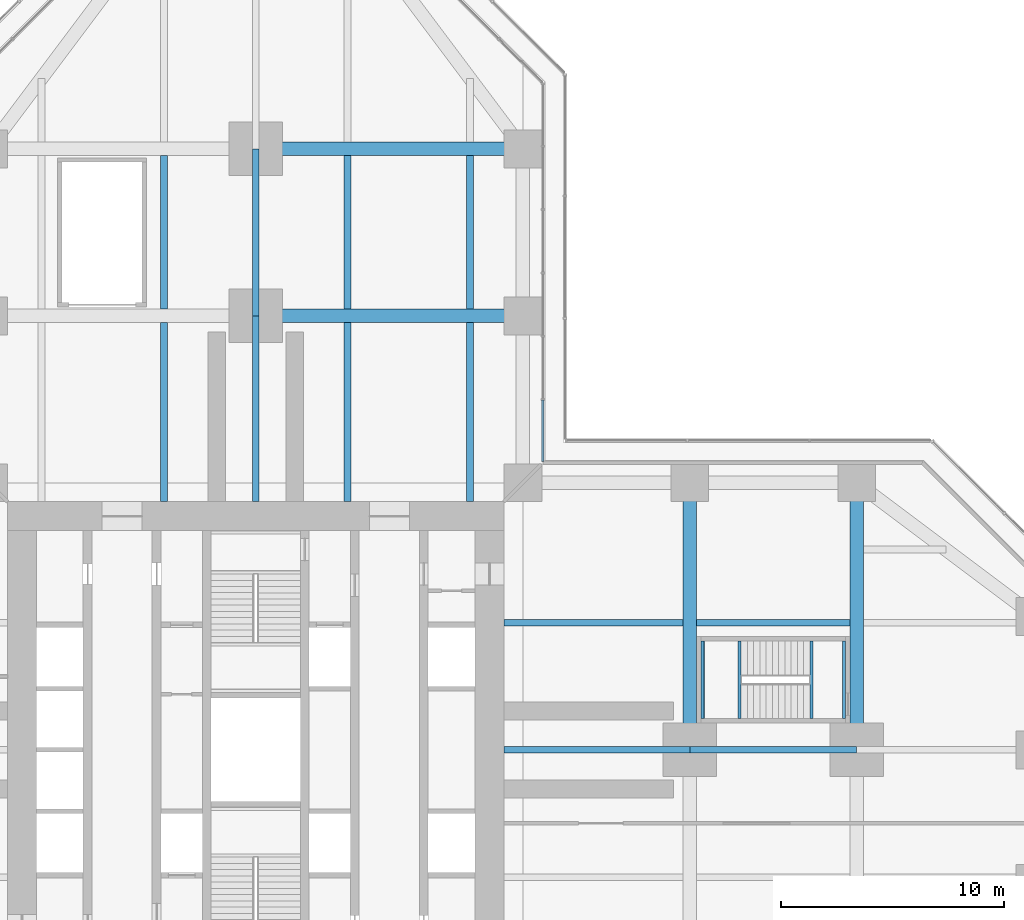
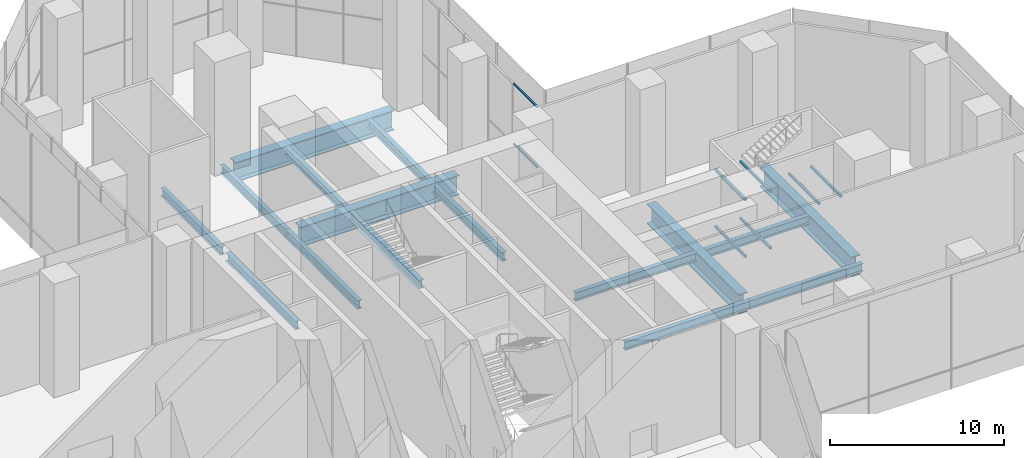
# One storey, part 9 of 25: 22 beams, 2 members, 1 element without a shape of its own.
"""IFC4 building model written with IfcOpenShell, lengths in metres."""

from ifc_helpers import new_model, si_unit, direction, frame, origin, origin_2d, place, context, subcontext, project, spatial, rectangle, hollow_rectangle, i_section, extrude, material, material_profile, profile_set, type_object, element, aggregate, save


model = new_model("IFC4")

# Units and contexts
model_context = context("Model", 3, precision=1e-05, world=origin(), true_north=direction((0.0, 1.0)))
body_context = subcontext(model_context, "Body", "Model", "MODEL_VIEW")
ifc_project = project(units=[si_unit("LENGTHUNIT", "METRE"), si_unit("AREAUNIT", "SQUARE_METRE"), si_unit("VOLUMEUNIT", "CUBIC_METRE"), si_unit("PLANEANGLEUNIT", "RADIAN"), si_unit("MASSUNIT", "GRAM", prefix="KILO")], contexts=[model_context])

# Site, building, storey
site_placement = place(None, origin())
site = spatial("IfcSite", under=ifc_project, at=site_placement, CompositionType="ELEMENT")
building_placement = place(site_placement, origin())
building = spatial("IfcBuilding", under=site, at=building_placement, Name="Mizan Broadcast Tower", CompositionType="ELEMENT")
storey_placement = place(building_placement, frame((0.0, 0.0, 7.0)))
storey = spatial("IfcBuildingStorey", under=building, at=storey_placement, Name="L01", CompositionType="ELEMENT", Elevation=7.0)

# Beams
ifc_material_1 = material(Name="Steel S460", Category="steel")
ifc_material_profile_1 = material_profile(ifc_material_1, i_section(OverallWidth=0.60009765625, OverallDepth=1.39990234375, WebThickness=0.02490234375, FlangeThickness=0.06005859375, at=origin_2d()), Name="WPG 1400x600")
ifc_profile_set_1 = profile_set([ifc_material_profile_1], Name="Steel S460")
beam_type_1 = type_object("IfcBeamType", Name="GIRDER WPG 1400x600", PredefinedType="BEAM", material=ifc_profile_set_1)
for number, where, z_axis, x_axis, name in (
    (1, (19.5, 0.719970703125, -0.949951171875), (0.0, 1.0, 0.0), (-1.0, 0.0, 0.0), "Girder WPG 1400x600 L01 east arm"),
    (2, (27.0, 0.719970703125, -0.949951171875), (0.0, 1.0, 0.0), (-1.0, 0.0, 0.0), "Girder WPG 1400x600 L01 east arm"),
    (3, (11.280029296875, 19.5, -0.949951171875), (-1.0, 0.0, 0.0), (0.0, -1.0, 0.0), "Girder WPG 1400x600 L01 north arm"),
    (4, (11.280029296875, 27.0, -0.949951171875), (-1.0, 0.0, 0.0), (0.0, -1.0, 0.0), "Girder WPG 1400x600 L01 north arm"),
):
    element("IfcBeam", number, at=place(storey_placement, frame(where, z_axis=z_axis, x_axis=x_axis)), inside=storey, type_object=beam_type_1, Name=name, PredefinedType="BEAM", context=body_context, shape_type="SweptSolid", body=[
        extrude(i_section(OverallWidth=0.60009765625, OverallDepth=1.39990234375, WebThickness=0.02490234375, FlangeThickness=0.06005859375, at=origin_2d()), origin(), (0.0, 0.0, 1.0), 10.56005859375),
    ])

# Curtain wall, members
ifc_material_2 = material(Name="Aluminium framed glazing", Category="aluminium")
curtain_wall_type = type_object("IfcCurtainWallType", Name="PODIUM CURTAIN WALL", PredefinedType="USERDEFINED", material=ifc_material_2)
curtain_wall_placement = place(storey_placement, origin())
curtain_wall = element("IfcCurtainWall", 5, at=curtain_wall_placement, inside=storey, type_object=curtain_wall_type, Name="Podium curtain wall L01 N side", ObjectType="PODIUM CURTAIN WALL", PredefinedType="USERDEFINED")
ifc_material_3 = material(Name="Aluminium, pale anodised", Category="aluminium")
ifc_material_profile_2 = material_profile(ifc_material_3, rectangle(XDim=0.1201171875, YDim=0.06005859375, at=origin_2d()), Name="TRANSOM 120x60")
ifc_profile_set_2 = profile_set([ifc_material_profile_2], Name="Aluminium, pale anodised")
member_type = type_object("IfcMemberType", Name="INNER SKIN TRANSOM 60x120", PredefinedType="USERDEFINED", material=ifc_profile_set_2)
member_1_placement = place(storey_placement, frame((12.89990234375, 12.9599609375, 3.5), z_axis=(0.0, 1.0, 0.0), x_axis=(-1.0, 0.0, 0.0)))
member_1 = element("IfcMember", 6, at=member_1_placement, type_object=member_type, Name="Podium curtain wall L01 N side transom 1.1", ObjectType="TRANSOM", PredefinedType="USERDEFINED", context=body_context, shape_type="SweptSolid", body=[
    extrude(rectangle(XDim=0.1201171875, YDim=0.06005859375, at=origin_2d()), origin(), (0.0, 0.0, 1.0), 2.753173828125),
])
member_2_placement = place(storey_placement, frame((12.89990234375, 12.9599609375, 7.719970703125), z_axis=(0.0, 1.0, 0.0), x_axis=(-1.0, 0.0, 0.0)))
member_2 = element("IfcMember", 7, at=member_2_placement, type_object=member_type, Name="Podium curtain wall L01 N side transom 1.2", ObjectType="TRANSOM", PredefinedType="USERDEFINED", context=body_context, shape_type="SweptSolid", body=[
    extrude(rectangle(XDim=0.1201171875, YDim=0.06005859375, at=origin_2d()), origin(), (0.0, 0.0, 1.0), 2.753173828125),
])
aggregate(curtain_wall, [member_1, member_2])

# Beams
ifc_material_4 = material(Name="Steel S355", Category="steel")
ifc_material_profile_3 = material_profile(ifc_material_4, hollow_rectangle(XDim=0.14990234375, YDim=0.14990234375, WallThickness=0.008056640625, InnerFilletRadius=0.008056640625, OuterFilletRadius=0.011962890625, at=origin_2d()), Name="SHS 150x150x8")
ifc_profile_set_3 = profile_set([ifc_material_profile_3], Name="Steel S355")
beam_type_2 = type_object("IfcBeamType", Name="LANDING TRIMMER SHS 150x150x8", PredefinedType="BEAM", material=ifc_profile_set_3)
for number, where, z_axis, x_axis, name in (
    (8, (21.735107421875, 1.39990234375, 1.72509765625), (0.0, 1.0, 0.0), (-1.0, 0.0, 0.0), "Stair C landing trimmer L01"),
    (9, (20.074951171875, 1.39990234375, 1.72509765625), (0.0, 1.0, 0.0), (-1.0, 0.0, 0.0), "Stair C landing trimmer L01"),
    (10, (26.425048828125, 1.39990234375, 3.72509765625), (0.0, 1.0, 0.0), (-1.0, 0.0, 0.0), "Stair C landing trimmer L01"),
    (11, (24.965087890625, 1.39990234375, 3.72509765625), (0.0, 1.0, 0.0), (-1.0, 0.0, 0.0), "Stair C landing trimmer L01"),
    (12, (21.735107421875, 1.39990234375, 5.72509765625), (0.0, 1.0, 0.0), (-1.0, 0.0, 0.0), "Stair C landing trimmer L01"),
    (13, (20.074951171875, 1.39990234375, 5.72509765625), (0.0, 1.0, 0.0), (-1.0, 0.0, 0.0), "Stair C landing trimmer L01"),
):
    element("IfcBeam", number, at=place(storey_placement, frame(where, z_axis=z_axis, x_axis=x_axis)), inside=storey, type_object=beam_type_2, Name=name, PredefinedType="BEAM", context=body_context, shape_type="SweptSolid", body=[
        extrude(hollow_rectangle(XDim=0.14990234375, YDim=0.14990234375, WallThickness=0.008056640625, InnerFilletRadius=0.008056640625, OuterFilletRadius=0.011962890625, at=origin_2d()), origin(), (0.0, 0.0, 1.0), 3.5),
    ])
ifc_material_5 = material(Name="Steel S355", Category="steel")
ifc_material_profile_4 = material_profile(ifc_material_5, i_section(OverallWidth=0.300048828125, OverallDepth=0.590087890625, WebThickness=0.012939453125, FlangeThickness=0.02490234375, FilletRadius=0.027099609375, at=origin_2d()), Name="HEA 600")
ifc_profile_set_4 = profile_set([ifc_material_profile_4], Name="Steel S355")
beam_type_3 = type_object("IfcBeamType", Name="SECONDARY BEAM HEA 600", PredefinedType="JOIST", material=ifc_profile_set_4)
beam_1_placement = place(storey_placement, frame((11.14990234375, 0.0, -0.544921875), z_axis=(1.0, 0.0, 0.0), x_axis=(0.0, 1.0, 0.0)))
element("IfcBeam", 14, at=beam_1_placement, inside=storey, type_object=beam_type_3, Name="Secondary beam HEA 600 L01 east arm", PredefinedType="JOIST", context=body_context, shape_type="SweptSolid", body=[
    extrude(i_section(OverallWidth=0.300048828125, OverallDepth=0.590087890625, WebThickness=0.012939453125, FlangeThickness=0.02490234375, FilletRadius=0.027099609375, at=origin_2d()), origin(), (0.0, 0.0, 1.0), 8.35009765625),
])
beam_2_placement = place(storey_placement, frame((19.5, 0.0, -0.544921875), z_axis=(1.0, 0.0, 0.0), x_axis=(0.0, 1.0, 0.0)))
element("IfcBeam", 15, at=beam_2_placement, inside=storey, type_object=beam_type_3, Name="Secondary beam HEA 600 L01 east arm", PredefinedType="JOIST", context=body_context, shape_type="SweptSolid", body=[
    extrude(i_section(OverallWidth=0.300048828125, OverallDepth=0.590087890625, WebThickness=0.012939453125, FlangeThickness=0.02490234375, FilletRadius=0.027099609375, at=origin_2d()), origin(), (0.0, 0.0, 1.0), 7.5),
])
beam_3_placement = place(storey_placement, frame((11.14990234375, 5.71435546875, -0.544921875), z_axis=(1.0, 0.0, 0.0), x_axis=(0.0, 1.0, 0.0)))
element("IfcBeam", 16, at=beam_3_placement, inside=storey, type_object=beam_type_3, Name="Secondary beam HEA 600 L01 east arm", PredefinedType="JOIST", context=body_context, shape_type="SweptSolid", body=[
    extrude(i_section(OverallWidth=0.300048828125, OverallDepth=0.590087890625, WebThickness=0.012939453125, FlangeThickness=0.02490234375, FilletRadius=0.027099609375, at=origin_2d()), origin(), (0.0, 0.0, 1.0), 8.050048828125),
])
beam_4_placement = place(storey_placement, frame((19.800048828125, 5.71435546875, -0.544921875), z_axis=(1.0, 0.0, 0.0), x_axis=(0.0, 1.0, 0.0)))
element("IfcBeam", 17, at=beam_4_placement, inside=storey, type_object=beam_type_3, Name="Secondary beam HEA 600 L01 east arm", PredefinedType="JOIST", context=body_context, shape_type="SweptSolid", body=[
    extrude(i_section(OverallWidth=0.300048828125, OverallDepth=0.590087890625, WebThickness=0.012939453125, FlangeThickness=0.02490234375, FilletRadius=0.027099609375, at=origin_2d()), origin(), (0.0, 0.0, 1.0), 6.89990234375),
])
beam_5_placement = place(storey_placement, frame((9.625, 11.14990234375, -0.544921875), z_axis=(0.0, 1.0, 0.0), x_axis=(-1.0, 0.0, 0.0)))
element("IfcBeam", 18, at=beam_5_placement, inside=storey, type_object=beam_type_3, Name="Secondary beam HEA 600 L01 north arm", PredefinedType="JOIST", context=body_context, shape_type="SweptSolid", body=[
    extrude(i_section(OverallWidth=0.300048828125, OverallDepth=0.590087890625, WebThickness=0.012939453125, FlangeThickness=0.02490234375, FilletRadius=0.027099609375, at=origin_2d()), origin(), (0.0, 0.0, 1.0), 8.050048828125),
])
beam_6_placement = place(storey_placement, frame((9.625, 19.800048828125, -0.544921875), z_axis=(0.0, 1.0, 0.0), x_axis=(-1.0, 0.0, 0.0)))
element("IfcBeam", 19, at=beam_6_placement, inside=storey, type_object=beam_type_3, Name="Secondary beam HEA 600 L01 north arm", PredefinedType="JOIST", context=body_context, shape_type="SweptSolid", body=[
    extrude(i_section(OverallWidth=0.300048828125, OverallDepth=0.590087890625, WebThickness=0.012939453125, FlangeThickness=0.02490234375, FilletRadius=0.027099609375, at=origin_2d()), origin(), (0.0, 0.0, 1.0), 6.89990234375),
])
beam_7_placement = place(storey_placement, frame((4.125, 11.14990234375, -0.544921875), z_axis=(0.0, 1.0, 0.0), x_axis=(-1.0, 0.0, 0.0)))
element("IfcBeam", 20, at=beam_7_placement, inside=storey, type_object=beam_type_3, Name="Secondary beam HEA 600 L01 north arm", PredefinedType="JOIST", context=body_context, shape_type="SweptSolid", body=[
    extrude(i_section(OverallWidth=0.300048828125, OverallDepth=0.590087890625, WebThickness=0.012939453125, FlangeThickness=0.02490234375, FilletRadius=0.027099609375, at=origin_2d()), origin(), (0.0, 0.0, 1.0), 8.050048828125),
])
beam_8_placement = place(storey_placement, frame((4.125, 19.800048828125, -0.544921875), z_axis=(0.0, 1.0, 0.0), x_axis=(-1.0, 0.0, 0.0)))
element("IfcBeam", 21, at=beam_8_placement, inside=storey, type_object=beam_type_3, Name="Secondary beam HEA 600 L01 north arm", PredefinedType="JOIST", context=body_context, shape_type="SweptSolid", body=[
    extrude(i_section(OverallWidth=0.300048828125, OverallDepth=0.590087890625, WebThickness=0.012939453125, FlangeThickness=0.02490234375, FilletRadius=0.027099609375, at=origin_2d()), origin(), (0.0, 0.0, 1.0), 6.89990234375),
])
beam_9_placement = place(storey_placement, frame((0.0, 11.14990234375, -0.544921875), z_axis=(0.0, 1.0, 0.0), x_axis=(-1.0, 0.0, 0.0)))
element("IfcBeam", 22, at=beam_9_placement, inside=storey, type_object=beam_type_3, Name="Secondary beam HEA 600 L01 north arm", PredefinedType="JOIST", context=body_context, shape_type="SweptSolid", body=[
    extrude(i_section(OverallWidth=0.300048828125, OverallDepth=0.590087890625, WebThickness=0.012939453125, FlangeThickness=0.02490234375, FilletRadius=0.027099609375, at=origin_2d()), origin(), (0.0, 0.0, 1.0), 8.35009765625),
])
beam_10_placement = place(storey_placement, frame((0.0, 19.5, -0.544921875), z_axis=(0.0, 1.0, 0.0), x_axis=(-1.0, 0.0, 0.0)))
element("IfcBeam", 23, at=beam_10_placement, inside=storey, type_object=beam_type_3, Name="Secondary beam HEA 600 L01 north arm", PredefinedType="JOIST", context=body_context, shape_type="SweptSolid", body=[
    extrude(i_section(OverallWidth=0.300048828125, OverallDepth=0.590087890625, WebThickness=0.012939453125, FlangeThickness=0.02490234375, FilletRadius=0.027099609375, at=origin_2d()), origin(), (0.0, 0.0, 1.0), 7.5),
])
beam_11_placement = place(storey_placement, frame((-4.125, 11.14990234375, -0.544921875), z_axis=(0.0, 1.0, 0.0), x_axis=(-1.0, 0.0, 0.0)))
element("IfcBeam", 24, at=beam_11_placement, inside=storey, type_object=beam_type_3, Name="Secondary beam HEA 600 L01 north arm", PredefinedType="JOIST", context=body_context, shape_type="SweptSolid", body=[
    extrude(i_section(OverallWidth=0.300048828125, OverallDepth=0.590087890625, WebThickness=0.012939453125, FlangeThickness=0.02490234375, FilletRadius=0.027099609375, at=origin_2d()), origin(), (0.0, 0.0, 1.0), 8.050048828125),
])
beam_12_placement = place(storey_placement, frame((-4.125, 19.800048828125, -0.544921875), z_axis=(0.0, 1.0, 0.0), x_axis=(-1.0, 0.0, 0.0)))
element("IfcBeam", 25, at=beam_12_placement, inside=storey, type_object=beam_type_3, Name="Secondary beam HEA 600 L01 north arm", PredefinedType="JOIST", context=body_context, shape_type="SweptSolid", body=[
    extrude(i_section(OverallWidth=0.300048828125, OverallDepth=0.590087890625, WebThickness=0.012939453125, FlangeThickness=0.02490234375, FilletRadius=0.027099609375, at=origin_2d()), origin(), (0.0, 0.0, 1.0), 6.89990234375),
])

save(model, "model.ifc")
